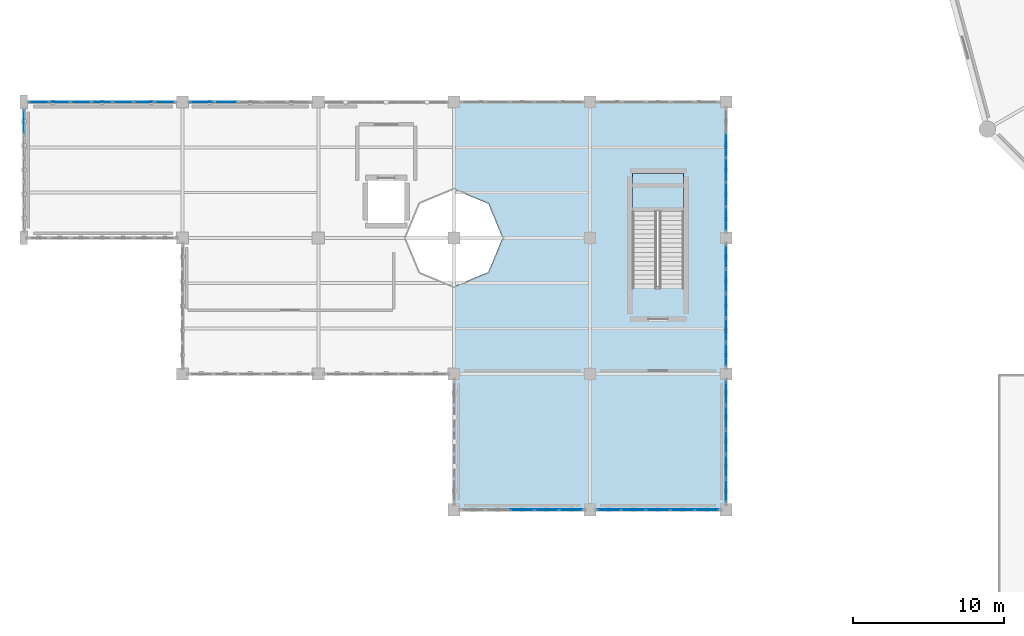
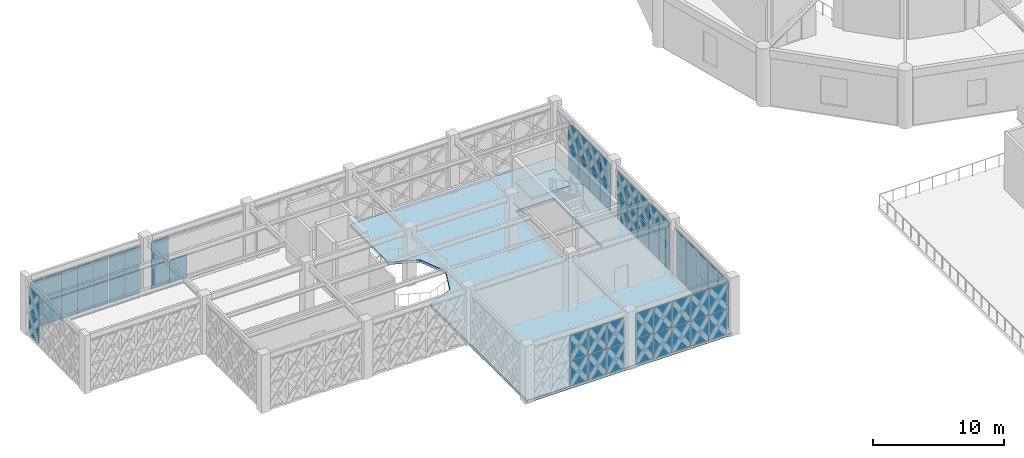
# One storey, part 62 of 86: 63 plates, 2 slabs, 9 elements without a shape of their own.
"""IFC4 building model written with IfcOpenShell, lengths in metres."""

from ifc_helpers import new_model, si_unit, direction, frame, origin, origin_2d, place, context, subcontext, project, spatial, polyline, rectangle, outline, extrude, material, layer, layer_set, type_object, element, aggregate, save


model = new_model("IFC4")

# Units and contexts
model_context = context("Model", 3, precision=1e-05, world=origin(), true_north=direction((0.0, 1.0)))
body_context = subcontext(model_context, "Body", "Model", "MODEL_VIEW")
ifc_project = project(units=[si_unit("LENGTHUNIT", "METRE"), si_unit("AREAUNIT", "SQUARE_METRE"), si_unit("VOLUMEUNIT", "CUBIC_METRE"), si_unit("PLANEANGLEUNIT", "RADIAN"), si_unit("MASSUNIT", "GRAM", prefix="KILO")], contexts=[model_context])

# Site, building, storey
site_placement = place(None, origin())
site = spatial("IfcSite", under=ifc_project, at=site_placement, CompositionType="ELEMENT")
building_placement = place(site_placement, origin())
building = spatial("IfcBuilding", under=site, at=building_placement, Name="Haizhuo Lancet Aquarium", CompositionType="ELEMENT")
storey_placement = place(building_placement, frame((0.0, 0.0, 16.199951171875)))
storey = spatial("IfcBuildingStorey", under=building, at=storey_placement, Name="L03", CompositionType="ELEMENT", Elevation=16.199951171875)

# Curtain wall, plates
ifc_material_1 = material(Name="Aluminium 6063-T6", Category="aluminium")
curtain_wall_type_1 = type_object("IfcCurtainWallType", Name="CWD-8010x4550", PredefinedType="NOTDEFINED", material=ifc_material_1)
curtain_wall_1_placement = place(storey_placement, origin())
curtain_wall_1 = element("IfcCurtainWall", 1, at=curtain_wall_1_placement, inside=storey, type_object=curtain_wall_type_1, Name="L03 curtain wall CW-V6-L03-229", PredefinedType="NOTDEFINED")
ifc_material_2 = material(Name="Laminated Low-E Glass", Category="glass")
ifc_layer_1 = layer(ifc_material_2, 0.028076171875)
ifc_layer_set_1 = layer_set([ifc_layer_1], Name="Laminated Low-E Glass")
plate_type_1 = type_object("IfcPlateType", Name="CW-PNL-1", PredefinedType="CURTAIN_PANEL", material=ifc_layer_set_1)
plate_1_placement = place(storey_placement, frame((-82.5, -10.31201171875, 0.06494140625), z_axis=(0.0, 0.0, 1.0), x_axis=(0.0, 1.0, 0.0)))
plate_1 = element("IfcPlate", 2, at=plate_1_placement, type_object=plate_type_1, Name="CWD-80x45 panel 5.1", PredefinedType="CURTAIN_PANEL", context=body_context, shape_type="SweptSolid", body=[
    extrude(rectangle(XDim=1.5048828125, YDim=0.028076171875, at=origin_2d()), origin(), (0.0, 0.0, 1.0), 2.177978515625),
])
plate_2_placement = place(storey_placement, frame((-82.5, -10.31201171875, 2.30712890625), z_axis=(0.0, 0.0, 1.0), x_axis=(0.0, 1.0, 0.0)))
plate_2 = element("IfcPlate", 3, at=plate_2_placement, type_object=plate_type_1, Name="CWD-80x45 panel 5.2", PredefinedType="CURTAIN_PANEL", context=body_context, shape_type="SweptSolid", body=[
    extrude(rectangle(XDim=1.5048828125, YDim=0.028076171875, at=origin_2d()), origin(), (0.0, 0.0, 1.0), 2.177978515625),
])
aggregate(curtain_wall_1, [plate_1, plate_2])

curtain_wall_type_2 = type_object("IfcCurtainWallType", Name="CWD-8110x4550", PredefinedType="NOTDEFINED", material=ifc_material_1)
curtain_wall_2_placement = place(storey_placement, origin())
curtain_wall_2 = element("IfcCurtainWall", 4, at=curtain_wall_2_placement, inside=storey, type_object=curtain_wall_type_2, Name="L03 curtain wall CW-V6-L03-237", PredefinedType="NOTDEFINED")
plate_3_placement = place(storey_placement, frame((-36.0, -28.27587890625, 0.08056640625), z_axis=(0.0, 0.0, 1.0), x_axis=(0.0, -1.0, 0.0)))
plate_3 = element("IfcPlate", 5, at=plate_3_placement, type_object=plate_type_1, Name="CWD-81x45 panel 1.1", PredefinedType="CURTAIN_PANEL", context=body_context, shape_type="SweptSolid", body=[
    extrude(rectangle(XDim=1.501953125, YDim=0.028076171875, at=origin_2d()), origin(), (0.0, 0.0, 1.0), 2.155029296875),
])
plate_4_placement = place(storey_placement, frame((-36.0, -28.27587890625, 2.3154296875), z_axis=(0.0, 0.0, 1.0), x_axis=(0.0, -1.0, 0.0)))
plate_4 = element("IfcPlate", 6, at=plate_4_placement, type_object=plate_type_1, Name="CWD-81x45 panel 1.2", PredefinedType="CURTAIN_PANEL", context=body_context, shape_type="SweptSolid", body=[
    extrude(rectangle(XDim=1.501953125, YDim=0.028076171875, at=origin_2d()), origin(), (0.0, 0.0, 1.0), 2.155029296875),
])
plate_5_placement = place(storey_placement, frame((-36.0, -29.8779296875, 0.08056640625), z_axis=(0.0, 0.0, 1.0), x_axis=(0.0, -1.0, 0.0)))
plate_5 = element("IfcPlate", 7, at=plate_5_placement, type_object=plate_type_1, Name="CWD-81x45 panel 2.1", PredefinedType="CURTAIN_PANEL", context=body_context, shape_type="SweptSolid", body=[
    extrude(rectangle(XDim=1.5419921875, YDim=0.028076171875, at=origin_2d()), origin(), (0.0, 0.0, 1.0), 2.155029296875),
])
plate_6_placement = place(storey_placement, frame((-36.0, -29.8779296875, 2.3154296875), z_axis=(0.0, 0.0, 1.0), x_axis=(0.0, -1.0, 0.0)))
plate_6 = element("IfcPlate", 8, at=plate_6_placement, type_object=plate_type_1, Name="CWD-81x45 panel 2.2", PredefinedType="CURTAIN_PANEL", context=body_context, shape_type="SweptSolid", body=[
    extrude(rectangle(XDim=1.5419921875, YDim=0.028076171875, at=origin_2d()), origin(), (0.0, 0.0, 1.0), 2.155029296875),
])
plate_7_placement = place(storey_placement, frame((-36.0, -31.5, 0.08056640625), z_axis=(0.0, 0.0, 1.0), x_axis=(0.0, -1.0, 0.0)))
plate_7 = element("IfcPlate", 9, at=plate_7_placement, type_object=plate_type_1, Name="CWD-81x45 panel 3.1", PredefinedType="CURTAIN_PANEL", context=body_context, shape_type="SweptSolid", body=[
    extrude(rectangle(XDim=1.5419921875, YDim=0.028076171875, at=origin_2d()), origin(), (0.0, 0.0, 1.0), 2.155029296875),
])
plate_8_placement = place(storey_placement, frame((-36.0, -31.5, 2.3154296875), z_axis=(0.0, 0.0, 1.0), x_axis=(0.0, -1.0, 0.0)))
plate_8 = element("IfcPlate", 10, at=plate_8_placement, type_object=plate_type_1, Name="CWD-81x45 panel 3.2", PredefinedType="CURTAIN_PANEL", context=body_context, shape_type="SweptSolid", body=[
    extrude(rectangle(XDim=1.5419921875, YDim=0.028076171875, at=origin_2d()), origin(), (0.0, 0.0, 1.0), 2.155029296875),
])
plate_9_placement = place(storey_placement, frame((-36.0, -33.1220703125, 0.08056640625), z_axis=(0.0, 0.0, 1.0), x_axis=(0.0, -1.0, 0.0)))
plate_9 = element("IfcPlate", 11, at=plate_9_placement, type_object=plate_type_1, Name="CWD-81x45 panel 4.1", PredefinedType="CURTAIN_PANEL", context=body_context, shape_type="SweptSolid", body=[
    extrude(rectangle(XDim=1.5419921875, YDim=0.028076171875, at=origin_2d()), origin(), (0.0, 0.0, 1.0), 2.155029296875),
])
plate_10_placement = place(storey_placement, frame((-36.0, -33.1220703125, 2.3154296875), z_axis=(0.0, 0.0, 1.0), x_axis=(0.0, -1.0, 0.0)))
plate_10 = element("IfcPlate", 12, at=plate_10_placement, type_object=plate_type_1, Name="CWD-81x45 panel 4.2", PredefinedType="CURTAIN_PANEL", context=body_context, shape_type="SweptSolid", body=[
    extrude(rectangle(XDim=1.5419921875, YDim=0.028076171875, at=origin_2d()), origin(), (0.0, 0.0, 1.0), 2.155029296875),
])
plate_11_placement = place(storey_placement, frame((-36.0, -34.72412109375, 0.08056640625), z_axis=(0.0, 0.0, 1.0), x_axis=(0.0, -1.0, 0.0)))
plate_11 = element("IfcPlate", 13, at=plate_11_placement, type_object=plate_type_1, Name="CWD-81x45 panel 5.1", PredefinedType="CURTAIN_PANEL", context=body_context, shape_type="SweptSolid", body=[
    extrude(rectangle(XDim=1.501953125, YDim=0.028076171875, at=origin_2d()), origin(), (0.0, 0.0, 1.0), 2.155029296875),
])
plate_12_placement = place(storey_placement, frame((-36.0, -34.72412109375, 2.3154296875), z_axis=(0.0, 0.0, 1.0), x_axis=(0.0, -1.0, 0.0)))
plate_12 = element("IfcPlate", 14, at=plate_12_placement, type_object=plate_type_1, Name="CWD-81x45 panel 5.2", PredefinedType="CURTAIN_PANEL", context=body_context, shape_type="SweptSolid", body=[
    extrude(rectangle(XDim=1.501953125, YDim=0.028076171875, at=origin_2d()), origin(), (0.0, 0.0, 1.0), 2.155029296875),
])
aggregate(curtain_wall_2, [plate_3, plate_4, plate_5, plate_6, plate_7, plate_8, plate_9, plate_10, plate_11, plate_12])

curtain_wall_type_3 = type_object("IfcCurtainWallType", Name="CWO-9760x4550", PredefinedType="NOTDEFINED", material=ifc_material_1)
curtain_wall_3_placement = place(storey_placement, origin())
curtain_wall_3 = element("IfcCurtainWall", 15, at=curtain_wall_3_placement, inside=storey, type_object=curtain_wall_type_3, Name="L03 curtain wall CW-V6-L03-230", PredefinedType="NOTDEFINED")
ifc_layer_2 = layer(ifc_material_2, 0.033935546875)
ifc_layer_set_2 = layer_set([ifc_layer_2], Name="Laminated Low-E Glass")
plate_type_2 = type_object("IfcPlateType", Name="CW-PNL-2", PredefinedType="CURTAIN_PANEL", material=ifc_layer_set_2)
plate_13_placement = place(storey_placement, frame((-81.489013671875, -9.0, 0.074951171875), z_axis=(0.0, 0.0, 1.0), x_axis=(1.0, 0.0, 0.0)))
plate_13 = element("IfcPlate", 16, at=plate_13_placement, type_object=plate_type_2, Name="CWO-97x45 panel 1.1", PredefinedType="CURTAIN_PANEL", context=body_context, shape_type="SweptSolid", body=[
    extrude(rectangle(XDim=1.281982421875, YDim=0.033935546875, at=origin_2d()), origin(), (0.0, 0.0, 1.0), 2.162109375),
])
plate_14_placement = place(storey_placement, frame((-81.489013671875, -9.0, 2.31298828125), z_axis=(0.0, 0.0, 1.0), x_axis=(1.0, 0.0, 0.0)))
plate_14 = element("IfcPlate", 17, at=plate_14_placement, type_object=plate_type_2, Name="CWO-97x45 panel 1.2", PredefinedType="CURTAIN_PANEL", context=body_context, shape_type="SweptSolid", body=[
    extrude(rectangle(XDim=1.281982421875, YDim=0.033935546875, at=origin_2d()), origin(), (0.0, 0.0, 1.0), 2.162109375),
])
plate_15_placement = place(storey_placement, frame((-80.114013671875, -9.0, 0.074951171875), z_axis=(0.0, 0.0, 1.0), x_axis=(1.0, 0.0, 0.0)))
plate_15 = element("IfcPlate", 18, at=plate_15_placement, type_object=plate_type_2, Name="CWO-97x45 panel 2.1", PredefinedType="CURTAIN_PANEL", context=body_context, shape_type="SweptSolid", body=[
    extrude(rectangle(XDim=1.319091796875, YDim=0.033935546875, at=origin_2d()), origin(), (0.0, 0.0, 1.0), 2.162109375),
])
plate_16_placement = place(storey_placement, frame((-80.114013671875, -9.0, 2.31298828125), z_axis=(0.0, 0.0, 1.0), x_axis=(1.0, 0.0, 0.0)))
plate_16 = element("IfcPlate", 19, at=plate_16_placement, type_object=plate_type_2, Name="CWO-97x45 panel 2.2", PredefinedType="CURTAIN_PANEL", context=body_context, shape_type="SweptSolid", body=[
    extrude(rectangle(XDim=1.319091796875, YDim=0.033935546875, at=origin_2d()), origin(), (0.0, 0.0, 1.0), 2.162109375),
])
plate_17_placement = place(storey_placement, frame((-78.718994140625, -9.0, 0.074951171875), z_axis=(0.0, 0.0, 1.0), x_axis=(1.0, 0.0, 0.0)))
plate_17 = element("IfcPlate", 20, at=plate_17_placement, type_object=plate_type_2, Name="CWO-97x45 panel 3.1", PredefinedType="CURTAIN_PANEL", context=body_context, shape_type="SweptSolid", body=[
    extrude(rectangle(XDim=1.319091796875, YDim=0.033935546875, at=origin_2d()), origin(), (0.0, 0.0, 1.0), 2.162109375),
])
plate_18_placement = place(storey_placement, frame((-78.718994140625, -9.0, 2.31298828125), z_axis=(0.0, 0.0, 1.0), x_axis=(1.0, 0.0, 0.0)))
plate_18 = element("IfcPlate", 21, at=plate_18_placement, type_object=plate_type_2, Name="CWO-97x45 panel 3.2", PredefinedType="CURTAIN_PANEL", context=body_context, shape_type="SweptSolid", body=[
    extrude(rectangle(XDim=1.319091796875, YDim=0.033935546875, at=origin_2d()), origin(), (0.0, 0.0, 1.0), 2.162109375),
])
plate_19_placement = place(storey_placement, frame((-77.324951171875, -9.0, 0.074951171875), z_axis=(0.0, 0.0, 1.0), x_axis=(1.0, 0.0, 0.0)))
plate_19 = element("IfcPlate", 22, at=plate_19_placement, type_object=plate_type_2, Name="CWO-97x45 panel 4.1", PredefinedType="CURTAIN_PANEL", context=body_context, shape_type="SweptSolid", body=[
    extrude(rectangle(XDim=1.319091796875, YDim=0.033935546875, at=origin_2d()), origin(), (0.0, 0.0, 1.0), 2.162109375),
])
plate_20_placement = place(storey_placement, frame((-77.324951171875, -9.0, 2.31298828125), z_axis=(0.0, 0.0, 1.0), x_axis=(1.0, 0.0, 0.0)))
plate_20 = element("IfcPlate", 23, at=plate_20_placement, type_object=plate_type_2, Name="CWO-97x45 panel 4.2", PredefinedType="CURTAIN_PANEL", context=body_context, shape_type="SweptSolid", body=[
    extrude(rectangle(XDim=1.319091796875, YDim=0.033935546875, at=origin_2d()), origin(), (0.0, 0.0, 1.0), 2.162109375),
])
plate_21_placement = place(storey_placement, frame((-75.930908203125, -9.0, 0.074951171875), z_axis=(0.0, 0.0, 1.0), x_axis=(1.0, 0.0, 0.0)))
plate_21 = element("IfcPlate", 24, at=plate_21_placement, type_object=plate_type_2, Name="CWO-97x45 panel 5.1", PredefinedType="CURTAIN_PANEL", context=body_context, shape_type="SweptSolid", body=[
    extrude(rectangle(XDim=1.319091796875, YDim=0.033935546875, at=origin_2d()), origin(), (0.0, 0.0, 1.0), 2.162109375),
])
plate_22_placement = place(storey_placement, frame((-75.930908203125, -9.0, 2.31298828125), z_axis=(0.0, 0.0, 1.0), x_axis=(1.0, 0.0, 0.0)))
plate_22 = element("IfcPlate", 25, at=plate_22_placement, type_object=plate_type_2, Name="CWO-97x45 panel 5.2", PredefinedType="CURTAIN_PANEL", context=body_context, shape_type="SweptSolid", body=[
    extrude(rectangle(XDim=1.319091796875, YDim=0.033935546875, at=origin_2d()), origin(), (0.0, 0.0, 1.0), 2.162109375),
])
plate_23_placement = place(storey_placement, frame((-74.535888671875, -9.0, 0.074951171875), z_axis=(0.0, 0.0, 1.0), x_axis=(1.0, 0.0, 0.0)))
plate_23 = element("IfcPlate", 26, at=plate_23_placement, type_object=plate_type_2, Name="CWO-97x45 panel 6.1", PredefinedType="CURTAIN_PANEL", context=body_context, shape_type="SweptSolid", body=[
    extrude(rectangle(XDim=1.319091796875, YDim=0.033935546875, at=origin_2d()), origin(), (0.0, 0.0, 1.0), 2.162109375),
])
plate_24_placement = place(storey_placement, frame((-74.535888671875, -9.0, 2.31298828125), z_axis=(0.0, 0.0, 1.0), x_axis=(1.0, 0.0, 0.0)))
plate_24 = element("IfcPlate", 27, at=plate_24_placement, type_object=plate_type_2, Name="CWO-97x45 panel 6.2", PredefinedType="CURTAIN_PANEL", context=body_context, shape_type="SweptSolid", body=[
    extrude(rectangle(XDim=1.319091796875, YDim=0.033935546875, at=origin_2d()), origin(), (0.0, 0.0, 1.0), 2.162109375),
])
plate_25_placement = place(storey_placement, frame((-73.160888671875, -9.0, 0.074951171875), z_axis=(0.0, 0.0, 1.0), x_axis=(1.0, 0.0, 0.0)))
plate_25 = element("IfcPlate", 28, at=plate_25_placement, type_object=plate_type_2, Name="CWO-97x45 panel 7.1", PredefinedType="CURTAIN_PANEL", context=body_context, shape_type="SweptSolid", body=[
    extrude(rectangle(XDim=1.281982421875, YDim=0.033935546875, at=origin_2d()), origin(), (0.0, 0.0, 1.0), 2.162109375),
])
plate_26_placement = place(storey_placement, frame((-73.160888671875, -9.0, 2.31298828125), z_axis=(0.0, 0.0, 1.0), x_axis=(1.0, 0.0, 0.0)))
plate_26 = element("IfcPlate", 29, at=plate_26_placement, type_object=plate_type_2, Name="CWO-97x45 panel 7.2", PredefinedType="CURTAIN_PANEL", context=body_context, shape_type="SweptSolid", body=[
    extrude(rectangle(XDim=1.281982421875, YDim=0.033935546875, at=origin_2d()), origin(), (0.0, 0.0, 1.0), 2.162109375),
])
aggregate(curtain_wall_3, [plate_13, plate_14, plate_15, plate_16, plate_17, plate_18, plate_19, plate_20, plate_21, plate_22, plate_23, plate_24, plate_25, plate_26])

curtain_wall_type_4 = type_object("IfcCurtainWallType", Name="CWD-8110x4800", PredefinedType="NOTDEFINED", material=ifc_material_1)
curtain_wall_4_placement = place(storey_placement, origin())
curtain_wall_4 = element("IfcCurtainWall", 30, at=curtain_wall_4_placement, inside=storey, type_object=curtain_wall_type_4, Name="L03 curtain wall CW-V6-L03-238", PredefinedType="NOTDEFINED")
plate_27_placement = place(storey_placement, frame((-37.27197265625, -36.0, 0.064453125), z_axis=(0.0, 0.0, 1.0), x_axis=(-1.0, 0.0, 0.0)))
plate_27 = element("IfcPlate", 31, at=plate_27_placement, type_object=plate_type_2, Name="CWD-81x48 panel 1.1", PredefinedType="CURTAIN_PANEL", context=body_context, shape_type="SweptSolid", body=[
    extrude(rectangle(XDim=1.52392578125, YDim=0.033935546875, at=origin_2d()), origin(), (0.0, 0.0, 1.0), 2.302978515625),
])
plate_28_placement = place(storey_placement, frame((-37.27197265625, -36.0, 2.4326171875), z_axis=(0.0, 0.0, 1.0), x_axis=(-1.0, 0.0, 0.0)))
plate_28 = element("IfcPlate", 32, at=plate_28_placement, type_object=plate_type_2, Name="CWD-81x48 panel 1.2", PredefinedType="CURTAIN_PANEL", context=body_context, shape_type="SweptSolid", body=[
    extrude(rectangle(XDim=1.52392578125, YDim=0.033935546875, at=origin_2d()), origin(), (0.0, 0.0, 1.0), 2.302978515625),
])
plate_29_placement = place(storey_placement, frame((-38.8779296875, -36.0, 0.064453125), z_axis=(0.0, 0.0, 1.0), x_axis=(-1.0, 0.0, 0.0)))
plate_29 = element("IfcPlate", 33, at=plate_29_placement, type_object=plate_type_2, Name="CWD-81x48 panel 2.1", PredefinedType="CURTAIN_PANEL", context=body_context, shape_type="SweptSolid", body=[
    extrude(rectangle(XDim=1.556884765625, YDim=0.033935546875, at=origin_2d()), origin(), (0.0, 0.0, 1.0), 2.302978515625),
])
plate_30_placement = place(storey_placement, frame((-38.8779296875, -36.0, 2.4326171875), z_axis=(0.0, 0.0, 1.0), x_axis=(-1.0, 0.0, 0.0)))
plate_30 = element("IfcPlate", 34, at=plate_30_placement, type_object=plate_type_2, Name="CWD-81x48 panel 2.2", PredefinedType="CURTAIN_PANEL", context=body_context, shape_type="SweptSolid", body=[
    extrude(rectangle(XDim=1.556884765625, YDim=0.033935546875, at=origin_2d()), origin(), (0.0, 0.0, 1.0), 2.302978515625),
])
plate_31_placement = place(storey_placement, frame((-40.5, -36.0, 0.064453125), z_axis=(0.0, 0.0, 1.0), x_axis=(-1.0, 0.0, 0.0)))
plate_31 = element("IfcPlate", 35, at=plate_31_placement, type_object=plate_type_2, Name="CWD-81x48 panel 3.1", PredefinedType="CURTAIN_PANEL", context=body_context, shape_type="SweptSolid", body=[
    extrude(rectangle(XDim=1.556884765625, YDim=0.033935546875, at=origin_2d()), origin(), (0.0, 0.0, 1.0), 2.302978515625),
])
plate_32_placement = place(storey_placement, frame((-40.5, -36.0, 2.4326171875), z_axis=(0.0, 0.0, 1.0), x_axis=(-1.0, 0.0, 0.0)))
plate_32 = element("IfcPlate", 36, at=plate_32_placement, type_object=plate_type_2, Name="CWD-81x48 panel 3.2", PredefinedType="CURTAIN_PANEL", context=body_context, shape_type="SweptSolid", body=[
    extrude(rectangle(XDim=1.556884765625, YDim=0.033935546875, at=origin_2d()), origin(), (0.0, 0.0, 1.0), 2.302978515625),
])
plate_33_placement = place(storey_placement, frame((-42.1220703125, -36.0, 0.064453125), z_axis=(0.0, 0.0, 1.0), x_axis=(-1.0, 0.0, 0.0)))
plate_33 = element("IfcPlate", 37, at=plate_33_placement, type_object=plate_type_2, Name="CWD-81x48 panel 4.1", PredefinedType="CURTAIN_PANEL", context=body_context, shape_type="SweptSolid", body=[
    extrude(rectangle(XDim=1.556884765625, YDim=0.033935546875, at=origin_2d()), origin(), (0.0, 0.0, 1.0), 2.302978515625),
])
plate_34_placement = place(storey_placement, frame((-42.1220703125, -36.0, 2.4326171875), z_axis=(0.0, 0.0, 1.0), x_axis=(-1.0, 0.0, 0.0)))
plate_34 = element("IfcPlate", 38, at=plate_34_placement, type_object=plate_type_2, Name="CWD-81x48 panel 4.2", PredefinedType="CURTAIN_PANEL", context=body_context, shape_type="SweptSolid", body=[
    extrude(rectangle(XDim=1.556884765625, YDim=0.033935546875, at=origin_2d()), origin(), (0.0, 0.0, 1.0), 2.302978515625),
])
plate_35_placement = place(storey_placement, frame((-43.72802734375, -36.0, 0.064453125), z_axis=(0.0, 0.0, 1.0), x_axis=(-1.0, 0.0, 0.0)))
plate_35 = element("IfcPlate", 39, at=plate_35_placement, type_object=plate_type_2, Name="CWD-81x48 panel 5.1", PredefinedType="CURTAIN_PANEL", context=body_context, shape_type="SweptSolid", body=[
    extrude(rectangle(XDim=1.52392578125, YDim=0.033935546875, at=origin_2d()), origin(), (0.0, 0.0, 1.0), 2.302978515625),
])
plate_36_placement = place(storey_placement, frame((-43.72802734375, -36.0, 2.4326171875), z_axis=(0.0, 0.0, 1.0), x_axis=(-1.0, 0.0, 0.0)))
plate_36 = element("IfcPlate", 40, at=plate_36_placement, type_object=plate_type_2, Name="CWD-81x48 panel 5.2", PredefinedType="CURTAIN_PANEL", context=body_context, shape_type="SweptSolid", body=[
    extrude(rectangle(XDim=1.52392578125, YDim=0.033935546875, at=origin_2d()), origin(), (0.0, 0.0, 1.0), 2.302978515625),
])
aggregate(curtain_wall_4, [plate_27, plate_28, plate_29, plate_30, plate_31, plate_32, plate_33, plate_34, plate_35, plate_36])

curtain_wall_type_5 = type_object("IfcCurtainWallType", Name="CWO-8110x4550", PredefinedType="NOTDEFINED", material=ifc_material_1)
curtain_wall_5_placement = place(storey_placement, origin())
curtain_wall_5 = element("IfcCurtainWall", 41, at=curtain_wall_5_placement, inside=storey, type_object=curtain_wall_type_5, Name="L03 curtain wall CW-V6-L03-231", PredefinedType="NOTDEFINED")
ifc_layer_3 = layer(ifc_material_2, 0.0419921875)
ifc_layer_set_3 = layer_set([ifc_layer_3], Name="Laminated Low-E Glass")
plate_type_3 = type_object("IfcPlateType", Name="CW-PNL-3", PredefinedType="CURTAIN_PANEL", material=ifc_layer_set_3)
plate_37_placement = place(storey_placement, frame((-70.72412109375, -9.0, 0.08056640625), z_axis=(0.0, 0.0, 1.0), x_axis=(1.0, 0.0, 0.0)))
plate_37 = element("IfcPlate", 42, at=plate_37_placement, type_object=plate_type_3, Name="CWO-81x45 panel 1.1", PredefinedType="CURTAIN_PANEL", context=body_context, shape_type="SweptSolid", body=[
    extrude(rectangle(XDim=1.501953125, YDim=0.0419921875, at=origin_2d()), origin(), (0.0, 0.0, 1.0), 2.155029296875),
])
plate_38_placement = place(storey_placement, frame((-70.72412109375, -9.0, 2.3154296875), z_axis=(0.0, 0.0, 1.0), x_axis=(1.0, 0.0, 0.0)))
plate_38 = element("IfcPlate", 43, at=plate_38_placement, type_object=plate_type_3, Name="CWO-81x45 panel 1.2", PredefinedType="CURTAIN_PANEL", context=body_context, shape_type="SweptSolid", body=[
    extrude(rectangle(XDim=1.501953125, YDim=0.0419921875, at=origin_2d()), origin(), (0.0, 0.0, 1.0), 2.155029296875),
])
plate_39_placement = place(storey_placement, frame((-69.1220703125, -9.0, 0.08056640625), z_axis=(0.0, 0.0, 1.0), x_axis=(1.0, 0.0, 0.0)))
plate_39 = element("IfcPlate", 44, at=plate_39_placement, type_object=plate_type_3, Name="CWO-81x45 panel 2.1", PredefinedType="CURTAIN_PANEL", context=body_context, shape_type="SweptSolid", body=[
    extrude(rectangle(XDim=1.5419921875, YDim=0.0419921875, at=origin_2d()), origin(), (0.0, 0.0, 1.0), 2.155029296875),
])
aggregate(curtain_wall_5, [plate_37, plate_38, plate_39])

curtain_wall_6_placement = place(storey_placement, origin())
curtain_wall_6 = element("IfcCurtainWall", 45, at=curtain_wall_6_placement, inside=storey, type_object=curtain_wall_type_2, Name="L03 curtain wall CW-V6-L03-235", PredefinedType="NOTDEFINED")
plate_40_placement = place(storey_placement, frame((-36.0, -11.8779296875, 0.06494140625), z_axis=(0.0, 0.0, 1.0), x_axis=(0.0, -1.0, 0.0)))
plate_40 = element("IfcPlate", 46, at=plate_40_placement, type_object=plate_type_3, Name="CWD-81x45 panel 2.1", PredefinedType="CURTAIN_PANEL", context=body_context, shape_type="SweptSolid", body=[
    extrude(rectangle(XDim=1.556884765625, YDim=0.0419921875, at=origin_2d()), origin(), (0.0, 0.0, 1.0), 2.177978515625),
])
plate_41_placement = place(storey_placement, frame((-36.0, -11.8779296875, 2.30712890625), z_axis=(0.0, 0.0, 1.0), x_axis=(0.0, -1.0, 0.0)))
plate_41 = element("IfcPlate", 47, at=plate_41_placement, type_object=plate_type_3, Name="CWD-81x45 panel 2.2", PredefinedType="CURTAIN_PANEL", context=body_context, shape_type="SweptSolid", body=[
    extrude(rectangle(XDim=1.556884765625, YDim=0.0419921875, at=origin_2d()), origin(), (0.0, 0.0, 1.0), 2.177978515625),
])
plate_42_placement = place(storey_placement, frame((-36.0, -13.5, 0.06494140625), z_axis=(0.0, 0.0, 1.0), x_axis=(0.0, -1.0, 0.0)))
plate_42 = element("IfcPlate", 48, at=plate_42_placement, type_object=plate_type_3, Name="CWD-81x45 panel 3.1", PredefinedType="CURTAIN_PANEL", context=body_context, shape_type="SweptSolid", body=[
    extrude(rectangle(XDim=1.556884765625, YDim=0.0419921875, at=origin_2d()), origin(), (0.0, 0.0, 1.0), 2.177978515625),
])
plate_43_placement = place(storey_placement, frame((-36.0, -13.5, 2.30712890625), z_axis=(0.0, 0.0, 1.0), x_axis=(0.0, -1.0, 0.0)))
plate_43 = element("IfcPlate", 49, at=plate_43_placement, type_object=plate_type_3, Name="CWD-81x45 panel 3.2", PredefinedType="CURTAIN_PANEL", context=body_context, shape_type="SweptSolid", body=[
    extrude(rectangle(XDim=1.556884765625, YDim=0.0419921875, at=origin_2d()), origin(), (0.0, 0.0, 1.0), 2.177978515625),
])
plate_44_placement = place(storey_placement, frame((-36.0, -15.1220703125, 0.06494140625), z_axis=(0.0, 0.0, 1.0), x_axis=(0.0, -1.0, 0.0)))
plate_44 = element("IfcPlate", 50, at=plate_44_placement, type_object=plate_type_3, Name="CWD-81x45 panel 4.1", PredefinedType="CURTAIN_PANEL", context=body_context, shape_type="SweptSolid", body=[
    extrude(rectangle(XDim=1.556884765625, YDim=0.0419921875, at=origin_2d()), origin(), (0.0, 0.0, 1.0), 2.177978515625),
])
plate_45_placement = place(storey_placement, frame((-36.0, -15.1220703125, 2.30712890625), z_axis=(0.0, 0.0, 1.0), x_axis=(0.0, -1.0, 0.0)))
plate_45 = element("IfcPlate", 51, at=plate_45_placement, type_object=plate_type_3, Name="CWD-81x45 panel 4.2", PredefinedType="CURTAIN_PANEL", context=body_context, shape_type="SweptSolid", body=[
    extrude(rectangle(XDim=1.556884765625, YDim=0.0419921875, at=origin_2d()), origin(), (0.0, 0.0, 1.0), 2.177978515625),
])
plate_46_placement = place(storey_placement, frame((-36.0, -16.72802734375, 0.06494140625), z_axis=(0.0, 0.0, 1.0), x_axis=(0.0, -1.0, 0.0)))
plate_46 = element("IfcPlate", 52, at=plate_46_placement, type_object=plate_type_3, Name="CWD-81x45 panel 5.1", PredefinedType="CURTAIN_PANEL", context=body_context, shape_type="SweptSolid", body=[
    extrude(rectangle(XDim=1.52392578125, YDim=0.0419921875, at=origin_2d()), origin(), (0.0, 0.0, 1.0), 2.177978515625),
])
plate_47_placement = place(storey_placement, frame((-36.0, -16.72802734375, 2.30712890625), z_axis=(0.0, 0.0, 1.0), x_axis=(0.0, -1.0, 0.0)))
plate_47 = element("IfcPlate", 53, at=plate_47_placement, type_object=plate_type_3, Name="CWD-81x45 panel 5.2", PredefinedType="CURTAIN_PANEL", context=body_context, shape_type="SweptSolid", body=[
    extrude(rectangle(XDim=1.52392578125, YDim=0.0419921875, at=origin_2d()), origin(), (0.0, 0.0, 1.0), 2.177978515625),
])
aggregate(curtain_wall_6, [plate_40, plate_41, plate_42, plate_43, plate_44, plate_45, plate_46, plate_47])

curtain_wall_7_placement = place(storey_placement, origin())
curtain_wall_7 = element("IfcCurtainWall", 54, at=curtain_wall_7_placement, inside=storey, type_object=curtain_wall_type_4, Name="L03 curtain wall CW-V6-L03-239", PredefinedType="NOTDEFINED")
plate_48_placement = place(storey_placement, frame((-46.27490234375, -36.0, 0.075439453125), z_axis=(0.0, 0.0, 1.0), x_axis=(-1.0, 0.0, 0.0)))
plate_48 = element("IfcPlate", 55, at=plate_48_placement, type_object=plate_type_3, Name="CWD-81x48 panel 1.1", PredefinedType="CURTAIN_PANEL", context=body_context, shape_type="SweptSolid", body=[
    extrude(rectangle(XDim=1.509033203125, YDim=0.0419921875, at=origin_2d()), origin(), (0.0, 0.0, 1.0), 2.287109375),
])
plate_49_placement = place(storey_placement, frame((-46.27490234375, -36.0, 2.4375), z_axis=(0.0, 0.0, 1.0), x_axis=(-1.0, 0.0, 0.0)))
plate_49 = element("IfcPlate", 56, at=plate_49_placement, type_object=plate_type_3, Name="CWD-81x48 panel 1.2", PredefinedType="CURTAIN_PANEL", context=body_context, shape_type="SweptSolid", body=[
    extrude(rectangle(XDim=1.509033203125, YDim=0.0419921875, at=origin_2d()), origin(), (0.0, 0.0, 1.0), 2.287109375),
])
plate_50_placement = place(storey_placement, frame((-47.8779296875, -36.0, 0.075439453125), z_axis=(0.0, 0.0, 1.0), x_axis=(-1.0, 0.0, 0.0)))
plate_50 = element("IfcPlate", 57, at=plate_50_placement, type_object=plate_type_3, Name="CWD-81x48 panel 2.1", PredefinedType="CURTAIN_PANEL", context=body_context, shape_type="SweptSolid", body=[
    extrude(rectangle(XDim=1.547119140625, YDim=0.0419921875, at=origin_2d()), origin(), (0.0, 0.0, 1.0), 2.287109375),
])
plate_51_placement = place(storey_placement, frame((-47.8779296875, -36.0, 2.4375), z_axis=(0.0, 0.0, 1.0), x_axis=(-1.0, 0.0, 0.0)))
plate_51 = element("IfcPlate", 58, at=plate_51_placement, type_object=plate_type_3, Name="CWD-81x48 panel 2.2", PredefinedType="CURTAIN_PANEL", context=body_context, shape_type="SweptSolid", body=[
    extrude(rectangle(XDim=1.547119140625, YDim=0.0419921875, at=origin_2d()), origin(), (0.0, 0.0, 1.0), 2.287109375),
])
plate_52_placement = place(storey_placement, frame((-49.5, -36.0, 0.075439453125), z_axis=(0.0, 0.0, 1.0), x_axis=(-1.0, 0.0, 0.0)))
plate_52 = element("IfcPlate", 59, at=plate_52_placement, type_object=plate_type_3, Name="CWD-81x48 panel 3.1", PredefinedType="CURTAIN_PANEL", context=body_context, shape_type="SweptSolid", body=[
    extrude(rectangle(XDim=1.547119140625, YDim=0.0419921875, at=origin_2d()), origin(), (0.0, 0.0, 1.0), 2.287109375),
])
plate_53_placement = place(storey_placement, frame((-49.5, -36.0, 2.4375), z_axis=(0.0, 0.0, 1.0), x_axis=(-1.0, 0.0, 0.0)))
plate_53 = element("IfcPlate", 60, at=plate_53_placement, type_object=plate_type_3, Name="CWD-81x48 panel 3.2", PredefinedType="CURTAIN_PANEL", context=body_context, shape_type="SweptSolid", body=[
    extrude(rectangle(XDim=1.547119140625, YDim=0.0419921875, at=origin_2d()), origin(), (0.0, 0.0, 1.0), 2.287109375),
])
aggregate(curtain_wall_7, [plate_48, plate_49, plate_50, plate_51, plate_52, plate_53])

curtain_wall_8_placement = place(storey_placement, origin())
curtain_wall_8 = element("IfcCurtainWall", 61, at=curtain_wall_8_placement, inside=storey, type_object=curtain_wall_type_2, Name="L03 curtain wall CW-V6-L03-236", PredefinedType="NOTDEFINED")
ifc_layer_4 = layer(ifc_material_2, 0.052001953125)
ifc_layer_set_4 = layer_set([ifc_layer_4], Name="Laminated Low-E Glass")
plate_type_4 = type_object("IfcPlateType", Name="CW-PNL-4", PredefinedType="CURTAIN_PANEL", material=ifc_layer_set_4)
plate_54_placement = place(storey_placement, frame((-36.0, -19.27490234375, 0.074951171875), z_axis=(0.0, 0.0, 1.0), x_axis=(0.0, -1.0, 0.0)))
plate_54 = element("IfcPlate", 62, at=plate_54_placement, type_object=plate_type_4, Name="CWD-81x45 panel 1.1", PredefinedType="CURTAIN_PANEL", context=body_context, shape_type="SweptSolid", body=[
    extrude(rectangle(XDim=1.509033203125, YDim=0.052001953125, at=origin_2d()), origin(), (0.0, 0.0, 1.0), 2.162109375),
])
plate_55_placement = place(storey_placement, frame((-36.0, -19.27490234375, 2.31298828125), z_axis=(0.0, 0.0, 1.0), x_axis=(0.0, -1.0, 0.0)))
plate_55 = element("IfcPlate", 63, at=plate_55_placement, type_object=plate_type_4, Name="CWD-81x45 panel 1.2", PredefinedType="CURTAIN_PANEL", context=body_context, shape_type="SweptSolid", body=[
    extrude(rectangle(XDim=1.509033203125, YDim=0.052001953125, at=origin_2d()), origin(), (0.0, 0.0, 1.0), 2.162109375),
])
plate_56_placement = place(storey_placement, frame((-36.0, -20.8779296875, 0.074951171875), z_axis=(0.0, 0.0, 1.0), x_axis=(0.0, -1.0, 0.0)))
plate_56 = element("IfcPlate", 64, at=plate_56_placement, type_object=plate_type_4, Name="CWD-81x45 panel 2.1", PredefinedType="CURTAIN_PANEL", context=body_context, shape_type="SweptSolid", body=[
    extrude(rectangle(XDim=1.547119140625, YDim=0.052001953125, at=origin_2d()), origin(), (0.0, 0.0, 1.0), 2.162109375),
])
plate_57_placement = place(storey_placement, frame((-36.0, -20.8779296875, 2.31298828125), z_axis=(0.0, 0.0, 1.0), x_axis=(0.0, -1.0, 0.0)))
plate_57 = element("IfcPlate", 65, at=plate_57_placement, type_object=plate_type_4, Name="CWD-81x45 panel 2.2", PredefinedType="CURTAIN_PANEL", context=body_context, shape_type="SweptSolid", body=[
    extrude(rectangle(XDim=1.547119140625, YDim=0.052001953125, at=origin_2d()), origin(), (0.0, 0.0, 1.0), 2.162109375),
])
plate_58_placement = place(storey_placement, frame((-36.0, -22.5, 0.074951171875), z_axis=(0.0, 0.0, 1.0), x_axis=(0.0, -1.0, 0.0)))
plate_58 = element("IfcPlate", 66, at=plate_58_placement, type_object=plate_type_4, Name="CWD-81x45 panel 3.1", PredefinedType="CURTAIN_PANEL", context=body_context, shape_type="SweptSolid", body=[
    extrude(rectangle(XDim=1.547119140625, YDim=0.052001953125, at=origin_2d()), origin(), (0.0, 0.0, 1.0), 2.162109375),
])
plate_59_placement = place(storey_placement, frame((-36.0, -22.5, 2.31298828125), z_axis=(0.0, 0.0, 1.0), x_axis=(0.0, -1.0, 0.0)))
plate_59 = element("IfcPlate", 67, at=plate_59_placement, type_object=plate_type_4, Name="CWD-81x45 panel 3.2", PredefinedType="CURTAIN_PANEL", context=body_context, shape_type="SweptSolid", body=[
    extrude(rectangle(XDim=1.547119140625, YDim=0.052001953125, at=origin_2d()), origin(), (0.0, 0.0, 1.0), 2.162109375),
])
plate_60_placement = place(storey_placement, frame((-36.0, -24.1220703125, 0.074951171875), z_axis=(0.0, 0.0, 1.0), x_axis=(0.0, -1.0, 0.0)))
plate_60 = element("IfcPlate", 68, at=plate_60_placement, type_object=plate_type_4, Name="CWD-81x45 panel 4.1", PredefinedType="CURTAIN_PANEL", context=body_context, shape_type="SweptSolid", body=[
    extrude(rectangle(XDim=1.547119140625, YDim=0.052001953125, at=origin_2d()), origin(), (0.0, 0.0, 1.0), 2.162109375),
])
plate_61_placement = place(storey_placement, frame((-36.0, -24.1220703125, 2.31298828125), z_axis=(0.0, 0.0, 1.0), x_axis=(0.0, -1.0, 0.0)))
plate_61 = element("IfcPlate", 69, at=plate_61_placement, type_object=plate_type_4, Name="CWD-81x45 panel 4.2", PredefinedType="CURTAIN_PANEL", context=body_context, shape_type="SweptSolid", body=[
    extrude(rectangle(XDim=1.547119140625, YDim=0.052001953125, at=origin_2d()), origin(), (0.0, 0.0, 1.0), 2.162109375),
])
plate_62_placement = place(storey_placement, frame((-36.0, -25.72509765625, 0.074951171875), z_axis=(0.0, 0.0, 1.0), x_axis=(0.0, -1.0, 0.0)))
plate_62 = element("IfcPlate", 70, at=plate_62_placement, type_object=plate_type_4, Name="CWD-81x45 panel 5.1", PredefinedType="CURTAIN_PANEL", context=body_context, shape_type="SweptSolid", body=[
    extrude(rectangle(XDim=1.510009765625, YDim=0.052001953125, at=origin_2d()), origin(), (0.0, 0.0, 1.0), 2.162109375),
])
plate_63_placement = place(storey_placement, frame((-36.0, -25.72509765625, 2.31298828125), z_axis=(0.0, 0.0, 1.0), x_axis=(0.0, -1.0, 0.0)))
plate_63 = element("IfcPlate", 71, at=plate_63_placement, type_object=plate_type_4, Name="CWD-81x45 panel 5.2", PredefinedType="CURTAIN_PANEL", context=body_context, shape_type="SweptSolid", body=[
    extrude(rectangle(XDim=1.510009765625, YDim=0.052001953125, at=origin_2d()), origin(), (0.0, 0.0, 1.0), 2.162109375),
])
aggregate(curtain_wall_8, [plate_54, plate_55, plate_56, plate_57, plate_58, plate_59, plate_60, plate_61, plate_62, plate_63])

# Slab
ifc_material_3 = material(Name="Concrete C40/50", Category="concrete")
ifc_layer_5 = layer(ifc_material_3, 0.239990234375)
ifc_layer_set_5 = layer_set([ifc_layer_5], Name="Concrete C40/50")
slab_type_1 = type_object("IfcSlabType", Name="SLB-L03-240", PredefinedType="FLOOR", material=ifc_layer_set_5)
slab_1_placement = place(storey_placement, frame((0.0, 0.0, -0.239990234375)))
element("IfcSlab", 72, at=slab_1_placement, inside=storey, type_object=slab_type_1, Name="L03 structural slab SL-L03-V6-02", PredefinedType="FLOOR", context=body_context, shape_type="SweptSolid", body=[
    extrude(outline(polyline([(-54.0, -9.0), (-54.0, -14.800048828125), (-51.737060546875, -15.737060546875), (-50.800048828125, -18.0), (-51.737060546875, -20.262939453125), (-54.0, -21.199951171875), (-54.0, -36.0), (-36.0, -36.0), (-36.0, -9.0), (-54.0, -9.0)]), holes=[polyline([(-42.199951171875, -13.75), (-42.199951171875, -21.169921875), (-38.800048828125, -21.169921875), (-38.800048828125, -13.75), (-42.199951171875, -13.75)])]), origin(), (0.0, 0.0, 1.0), 0.239990234375),
])

# Stair, slab
stair_type = type_object("IfcStairType", Name="STR-HT-1600-54", PredefinedType="HALF_TURN_STAIR", material=ifc_material_3)
stair_placement = place(storey_placement, origin())
stair = element("IfcStair", 73, at=stair_placement, inside=storey, type_object=stair_type, Name="L03 enclosed exit stair ST-09", PredefinedType="HALF_TURN_STAIR")
ifc_layer_6 = layer(ifc_material_3, 0.199951171875)
ifc_layer_set_6 = layer_set([ifc_layer_6], Name="Concrete C40/50")
slab_type_2 = type_object("IfcSlabType", Name="SLB-LND-1600", PredefinedType="LANDING", material=ifc_layer_set_6)
slab_2_placement = place(storey_placement, frame((0.0, 0.0, 2.5)))
slab_2 = element("IfcSlab", 74, at=slab_2_placement, type_object=slab_type_2, Name="ST-15 landing 1", PredefinedType="LANDING", context=body_context, shape_type="SweptSolid", body=[
    extrude(outline(polyline([(-38.800048828125, -16.25), (-38.800048828125, -13.75), (-42.199951171875, -13.75), (-42.199951171875, -16.25), (-38.800048828125, -16.25)])), origin(), (0.0, 0.0, 1.0), 0.199951171875),
])
aggregate(stair, [slab_2])

save(model, "model.ifc")
